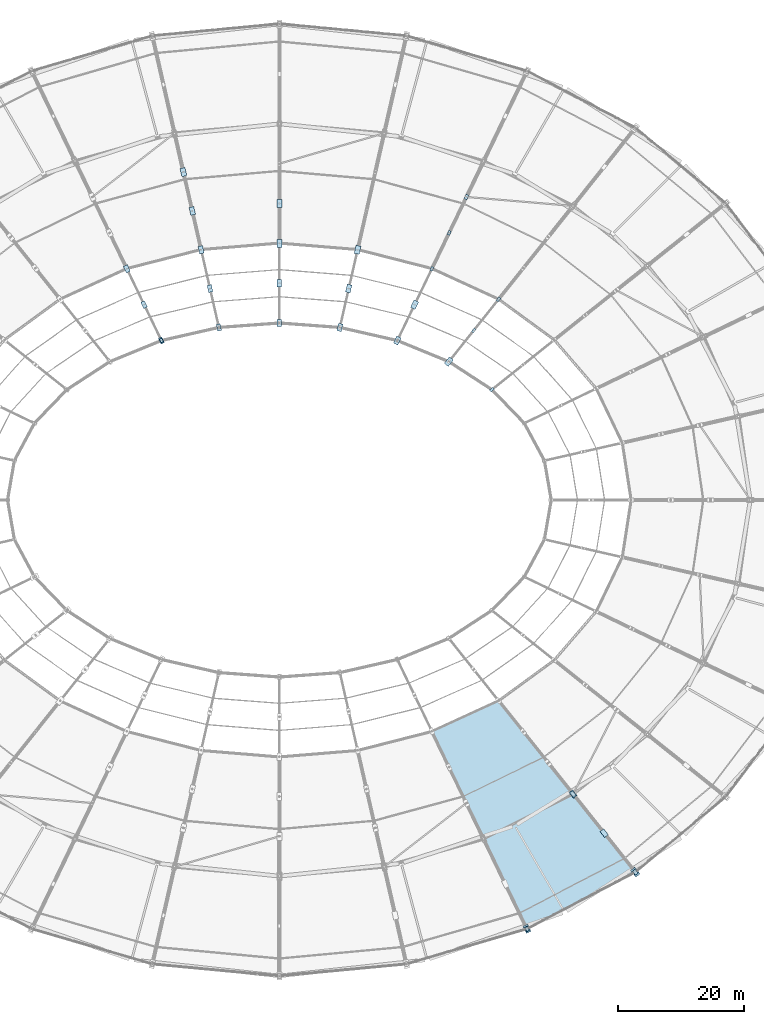
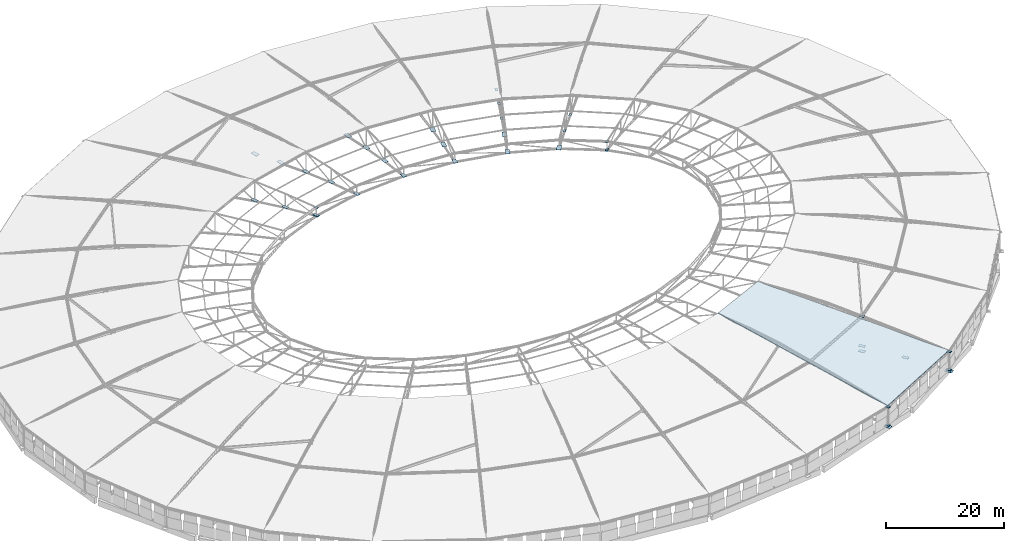
# One storey, part 93 of 108: 40 plates, 1 slab.
"""IFC4 building model written with IfcOpenShell, lengths in metres."""

import ifcopenshell
import ifcopenshell.guid

model = None  # the IFC model being written
_history = None  # IfcOwnerHistory: only IFC2X3 demands one
_inside = {}  # id of a spatial element -> (the spatial element, [elements in it])
_under = {}  # id of a project, library or spatial element -> (it, [spatial elements below it])
_declared = {}  # id of a project -> (the project, [libraries it declares])
_typed = {}  # id of a type object -> (the type object, [elements of that type])
_made_of = {}  # id of a material, layer set ... -> (it, [elements and type objects made of it])


def new_model(schema):
    """Start an empty IFC model of exactly this schema.

    Asked for "IFC4X3", IfcOpenShell would pick the latest addendum, in which some entities
    have other attributes; the version numbers below select the first issue.
    IFC2X3 requires an IfcOwnerHistory on every rooted entity: one is made here for all.
    """
    global model, _history
    if schema == "IFC4X3":
        model = ifcopenshell.file(schema_version=(4, 3, 0, 0))
    else:
        model = ifcopenshell.file(schema=schema)
    _inside.clear()
    _under.clear()
    _declared.clear()
    _typed.clear()
    _made_of.clear()
    _history = None
    if model.schema == "IFC2X3":
        org = make("IfcOrganization", Name="unknown")
        user = make(
            "IfcPersonAndOrganization",
            ThePerson=make("IfcPerson", FamilyName="unknown"),
            TheOrganization=org,
        )
        app = make(
            "IfcApplication",
            ApplicationDeveloper=org,
            Version="unknown",
            ApplicationFullName="unknown",
            ApplicationIdentifier="unknown",
        )
        _history = make(
            "IfcOwnerHistory",
            OwningUser=user,
            OwningApplication=app,
            ChangeAction="ADDED",
            CreationDate=0,
        )
    return model


def make(cls, **values):
    """One entity of the class cls with the attributes given. An attribute that is None is left unset."""
    return model.create_entity(
        cls, **{name: value for name, value in values.items() if value is not None}
    )


def rooted(cls, **values):
    """An entity with a GlobalId (a new one), such as an element, a storey or a relation."""
    return make(cls, GlobalId=ifcopenshell.guid.new(), OwnerHistory=_history, **values)


def si_unit(unit_type, name, prefix=None):
    """IfcSIUnit, for example si_unit("LENGTHUNIT", "METRE", prefix="MILLI")."""
    return make("IfcSIUnit", UnitType=unit_type, Prefix=prefix, Name=name)


def assignment(units):
    """IfcUnitAssignment: the units of a project."""
    return None if units is None else make("IfcUnitAssignment", Units=units)


def point(xyz):
    """IfcCartesianPoint."""
    return None if xyz is None else make("IfcCartesianPoint", Coordinates=xyz)


def direction(xyz):
    """IfcDirection."""
    return None if xyz is None else make("IfcDirection", DirectionRatios=xyz)


def frame(location, z_axis=None, x_axis=None):
    """IfcAxis2Placement3D, a coordinate frame: its origin and axes. An axis left out is left unset."""
    return make(
        "IfcAxis2Placement3D",
        Location=point(location),
        Axis=direction(z_axis),
        RefDirection=direction(x_axis),
    )


def frame_2d(location, x_axis=None):
    """IfcAxis2Placement2D, a coordinate frame in the plane: its origin and x axis."""
    return make(
        "IfcAxis2Placement2D", Location=point(location), RefDirection=direction(x_axis)
    )


def origin():
    """The frame at (0, 0, 0) with its axes left unset."""
    return frame((0.0, 0.0, 0.0))


def origin_2d():
    """The frame at (0, 0) in the plane with its x axis left unset."""
    return frame_2d((0.0, 0.0))


def place(relative_to, where):
    """IfcLocalPlacement: puts the frame where relative to a parent placement (None: the world)."""
    return make(
        "IfcLocalPlacement", PlacementRelTo=relative_to, RelativePlacement=where
    )


def context(
    kind, dimensions, precision=None, world=None, true_north=None, identifier=None
):
    """IfcGeometricRepresentationContext, for example the 3D "Model" context."""
    return make(
        "IfcGeometricRepresentationContext",
        ContextIdentifier=identifier,
        ContextType=kind,
        CoordinateSpaceDimension=dimensions,
        Precision=precision,
        WorldCoordinateSystem=world,
        TrueNorth=true_north,
    )


def subcontext(parent, identifier, kind, view, scale=None):
    """IfcGeometricRepresentationSubContext, for example "Body" below "Model"."""
    return make(
        "IfcGeometricRepresentationSubContext",
        ContextIdentifier=identifier,
        ContextType=kind,
        ParentContext=parent,
        TargetScale=scale,
        TargetView=view,
    )


def project(units=None, contexts=None):
    """IfcProject with its units and contexts."""
    return rooted(
        "IfcProject",
        Name="project",
        RepresentationContexts=contexts,
        UnitsInContext=assignment(units),
    )


def spatial(cls, under=None, at=None, **own):
    """A site, building, storey or space (cls), placed at a placement, below another one or the project."""
    s = rooted(cls, ObjectPlacement=at, **own)
    if under is not None:
        _under.setdefault(under.id(), (under, []))[1].append(s)
    return s


def polyline(points):
    """IfcPolyline through the points."""
    return make("IfcPolyline", Points=[point(p) for p in points])


def profile(cls, at=None, kind="AREA", **sizes):
    """A parametric profile (cls). Its sizes go by their IFC names, for example OverallWidth=200.0."""
    return make(cls, ProfileType=kind, Position=at, **sizes)


def rectangle(**sizes):
    """IfcRectangleProfileDef."""
    return profile("IfcRectangleProfileDef", **sizes)


def outline(outer, holes=None, kind="AREA"):
    """IfcArbitraryClosedProfileDef: a profile drawn as a closed curve; with holes, ...WithVoids."""
    if holes is None:
        return make("IfcArbitraryClosedProfileDef", ProfileType=kind, OuterCurve=outer)
    return make(
        "IfcArbitraryProfileDefWithVoids",
        ProfileType=kind,
        OuterCurve=outer,
        InnerCurves=holes,
    )


def extrude(swept, where, along, depth):
    """IfcExtrudedAreaSolid: the profile swept, set in the frame where, extruded along a direction by depth."""
    return make(
        "IfcExtrudedAreaSolid",
        SweptArea=swept,
        Position=where,
        ExtrudedDirection=direction(along),
        Depth=depth,
    )


def shape(context_of_items, identifier, shape_type, items):
    """IfcShapeRepresentation: the items that make up one representation, for example the "Body"."""
    return make(
        "IfcShapeRepresentation",
        ContextOfItems=context_of_items,
        RepresentationIdentifier=identifier,
        RepresentationType=shape_type,
        Items=items,
    )


def material(Name=None, Category=None):
    """IfcMaterial."""
    return make("IfcMaterial", Name=Name, Category=Category)


def layer(
    of_material, thickness, ventilated=None, Name=None, Category=None, Priority=None
):
    """IfcMaterialLayer: one layer of a wall or slab, of a material (None: an air gap)."""
    return make(
        "IfcMaterialLayer",
        Material=of_material,
        LayerThickness=thickness,
        IsVentilated=ventilated,
        Name=Name,
        Category=Category,
        Priority=Priority,
    )


def layer_set(layers, Name=None):
    """IfcMaterialLayerSet."""
    return make("IfcMaterialLayerSet", MaterialLayers=layers, LayerSetName=Name)


def made_of(thing, what):
    """Note that an element or type object is made of a material, layer set ...; save() writes the relation."""
    if what is not None:
        _made_of.setdefault(what.id(), (what, []))[1].append(thing)
    return thing


def type_object(cls, material=None, **own):
    """A type object (cls), such as IfcWallType, which elements share."""
    return made_of(rooted(cls, **own), material)


def element(
    cls,
    number,
    at=None,
    inside=None,
    cuts=None,
    type_object=None,
    material=None,
    context=None,
    identifier="Body",
    shape_type=None,
    held_by="IfcProductDefinitionShape",
    body=None,
    shapes=None,
    **own,
):
    """One element of the class cls, such as IfcWall. Its Tag is "e" and its number.

    at: its placement. inside: the storey or other place that contains it. cuts: it is an
    opening in that element (IfcRelVoidsElement). A single representation is given by context,
    identifier, shape_type and body (its items); several are given by shapes. held_by: the class
    of the entity that holds the representations. save() writes the other relations.
    """
    e = rooted(cls, Tag="e%d" % number, ObjectPlacement=at, **own)
    if body is not None:
        shapes = [shape(context, identifier, shape_type, body)]
    if shapes is not None:
        e.Representation = make(held_by, Representations=shapes)
    if inside is not None:
        _inside.setdefault(inside.id(), (inside, []))[1].append(e)
    if cuts is not None:
        rooted(
            "IfcRelVoidsElement", RelatingBuildingElement=cuts, RelatedOpeningElement=e
        )
    if type_object is not None:
        _typed.setdefault(type_object.id(), (type_object, []))[1].append(e)
    return made_of(e, material)


def aggregate(whole, parts):
    """IfcRelAggregates: a whole, such as a stair, and the parts it consists of."""
    return rooted("IfcRelAggregates", RelatingObject=whole, RelatedObjects=parts)


def save(model, path):
    """Write the relations noted so far, then the file.

    IfcRelAggregates (storeys below a building ...), IfcRelContainedInSpatialStructure (elements
    in a storey), IfcRelDefinesByType, IfcRelAssociatesMaterial and IfcRelDeclares: one each for
    every whole, place, type object, material and project.
    """
    for whole, parts in _under.values():
        aggregate(whole, parts)
    for where, things in _inside.values():
        rooted(
            "IfcRelContainedInSpatialStructure",
            RelatedElements=things,
            RelatingStructure=where,
        )
    for kind, things in _typed.values():
        rooted("IfcRelDefinesByType", RelatedObjects=things, RelatingType=kind)
    for what, things in _made_of.values():
        rooted("IfcRelAssociatesMaterial", RelatedObjects=things, RelatingMaterial=what)
    for by, libraries in _declared.values():
        rooted("IfcRelDeclares", RelatingContext=by, RelatedDefinitions=libraries)
    model.write(path)


model = new_model("IFC4")

# Units and contexts
model_context = context("Model", 3, precision=1e-05, world=origin(), true_north=direction((0.0, 1.0)))
body_context = subcontext(model_context, "Body", "Model", "MODEL_VIEW")
ifc_project = project(units=[si_unit("LENGTHUNIT", "METRE"), si_unit("AREAUNIT", "SQUARE_METRE"), si_unit("VOLUMEUNIT", "CUBIC_METRE"), si_unit("PLANEANGLEUNIT", "RADIAN"), si_unit("MASSUNIT", "GRAM", prefix="KILO")], contexts=[model_context])

# Site, building, storey
site_placement = place(None, origin())
site = spatial("IfcSite", under=ifc_project, at=site_placement, CompositionType="ELEMENT")
building_placement = place(site_placement, origin())
building = spatial("IfcBuilding", under=site, at=building_placement, Name="Zevraka Park Crest Stadium", CompositionType="ELEMENT")
storey_placement = place(building_placement, frame((0.0, 0.0, 29.39990234375)))
storey = spatial("IfcBuildingStorey", under=building, at=storey_placement, Name="RF", CompositionType="ELEMENT", Elevation=29.39990234375)

# Plates
ifc_material_1 = material(Name="Steel S355", Category="steel")
ifc_layer_1 = layer(ifc_material_1, 0.035888671875)
ifc_layer_set_1 = layer_set([ifc_layer_1], Name="Steel S355")
plate_type_1 = type_object("IfcPlateType", Name="BP01", PredefinedType="SHEET", material=ifc_layer_set_1)
plate_1_placement = place(storey_placement, frame((168.301025390625, 33.1279296875, -0.03369140625), z_axis=(0.0, 0.0, 1.0), x_axis=(-0.623470308046, 0.781847027868, 0.0)))
element("IfcPlate", 1, at=plate_1_placement, inside=storey, type_object=plate_type_1, Name="TN1 Roof Truss Heel Base Plate BP01 T25", PredefinedType="SHEET", context=body_context, shape_type="SweptSolid", body=[
    extrude(rectangle(XDim=1.35009765625, YDim=0.85009765625, at=origin_2d()), origin(), (0.0, 0.0, 1.0), 0.035888671875),
])
ifc_material_2 = material(Name="Steel S355", Category="steel")
ifc_layer_2 = layer(ifc_material_2, 0.034912109375)
ifc_layer_set_2 = layer_set([ifc_layer_2], Name="Steel S355")
plate_type_2 = type_object("IfcPlateType", Name="BP02", PredefinedType="SHEET", material=ifc_layer_set_2)
plate_2_placement = place(storey_placement, frame((151.179931640625, 24.156982421875, -0.03271484375), z_axis=(0.0, 0.0, 1.0), x_axis=(-0.43381634559, 0.90100131981, 0.0)))
element("IfcPlate", 2, at=plate_2_placement, inside=storey, type_object=plate_type_2, Name="TN1 Roof Truss Heel Base Plate BP02 T24", PredefinedType="SHEET", context=body_context, shape_type="SweptSolid", body=[
    extrude(rectangle(XDim=1.25, YDim=0.800048828125, at=origin_2d()), origin(), (0.0, 0.0, 1.0), 0.034912109375),
])
ifc_material_3 = material(Name="Steel S355", Category="steel")
ifc_layer_3 = layer(ifc_material_3, 0.031982421875)
ifc_layer_set_3 = layer_set([ifc_layer_3], Name="Steel S355")
plate_type_3 = type_object("IfcPlateType", Name="BP03", PredefinedType="SHEET", material=ifc_layer_set_3)
plate_3_placement = place(storey_placement, frame((158.449951171875, 45.48095703125, -0.02978515625), z_axis=(0.0, 0.0, 1.0), x_axis=(-0.623470308046, 0.781847027868, 0.0)))
element("IfcPlate", 3, at=plate_3_placement, inside=storey, type_object=plate_type_3, Name="TN2 Roof Truss Heel Base Plate BP03 T25", PredefinedType="SHEET", context=body_context, shape_type="SweptSolid", body=[
    extrude(rectangle(XDim=1.14990234375, YDim=0.719970703125, at=origin_2d()), origin(), (0.0, 0.0, 1.0), 0.031982421875),
])
ifc_material_4 = material(Name="Steel S355", Category="steel")
ifc_layer_4 = layer(ifc_material_4, 0.02490234375)
ifc_layer_set_4 = layer_set([ifc_layer_4], Name="Steel S355")
plate_type_4 = type_object("IfcPlateType", Name="EC01", PredefinedType="SHEET", material=ifc_layer_set_4)
for number, where, z_axis, x_axis, name in (
    (4, (158.449951171875, 45.48095703125, 7.1982421875), (0.0, 0.0, 1.0), (-0.623470308046, 0.781847027868, 0.0), "Hollow Strut Top Closure Cap Plate EC01 T25-2"),
    (5, (168.301025390625, 33.1279296875, 0.237548828125), (0.0, 0.0, 1.0), (-0.623470308046, 0.781847027868, 0.0), "TN5 Hollow Chord End Cap Plate EC01 T25-HEEL-B"),
    (6, (168.301025390625, 33.1279296875, 3.987548828125), (0.0, 0.0, 1.0), (-0.623470308046, 0.781847027868, 0.0), "TN5 Hollow Chord End Cap Plate EC01 T25-HEEL-T"),
):
    element("IfcPlate", number, at=place(storey_placement, frame(where, z_axis=z_axis, x_axis=x_axis)), inside=storey, type_object=plate_type_4, Name=name, PredefinedType="SHEET", context=body_context, shape_type="SweptSolid", body=[
        extrude(rectangle(XDim=0.840087890625, YDim=0.5400390625, at=origin_2d()), origin(), (0.0, 0.0, 1.0), 0.02490234375),
    ])
ifc_material_5 = material(Name="Steel S355", Category="steel")
ifc_layer_5 = layer(ifc_material_5, 0.02490234375)
ifc_layer_set_5 = layer_set([ifc_layer_5], Name="Steel S355")
plate_type_5 = type_object("IfcPlateType", Name="EC02", PredefinedType="SHEET", material=ifc_layer_set_5)
for number, where, z_axis, x_axis, name in (
    (7, (151.179931640625, 24.156982421875, 3.998046875), (0.0, 0.0, 1.0), (-0.43381634559, 0.90100131981, 0.0), "Hollow Strut Top Closure Cap Plate EC02 T24-0"),
    (8, (168.301025390625, 33.1279296875, 3.998046875), (0.0, 0.0, 1.0), (-0.623470308046, 0.781847027868, 0.0), "Hollow Strut Top Closure Cap Plate EC02 T25-0"),
):
    element("IfcPlate", number, at=place(storey_placement, frame(where, z_axis=z_axis, x_axis=x_axis)), inside=storey, type_object=plate_type_5, Name=name, PredefinedType="SHEET", context=body_context, shape_type="SweptSolid", body=[
        extrude(rectangle(XDim=0.780029296875, YDim=0.5, at=origin_2d()), origin(), (0.0, 0.0, 1.0), 0.02490234375),
    ])
ifc_material_6 = material(Name="Steel S355", Category="steel")
ifc_layer_6 = layer(ifc_material_6, 0.02197265625)
ifc_layer_set_6 = layer_set([ifc_layer_6], Name="Steel S355")
plate_type_6 = type_object("IfcPlateType", Name="EC03", PredefinedType="SHEET", material=ifc_layer_set_6)
for number, where, z_axis, x_axis, name in (
    (9, (151.179931640625, 24.156982421875, 0.239013671875), (0.0, 0.0, 1.0), (-0.43381634559, 0.90100131981, 0.0), "TN5 Hollow Chord End Cap Plate EC03 T24-HEEL-B"),
    (10, (151.179931640625, 24.156982421875, 3.989013671875), (0.0, 0.0, 1.0), (-0.43381634559, 0.90100131981, 0.0), "TN5 Hollow Chord End Cap Plate EC03 T24-HEEL-T"),
):
    element("IfcPlate", number, at=place(storey_placement, frame(where, z_axis=z_axis, x_axis=x_axis)), inside=storey, type_object=plate_type_6, Name=name, PredefinedType="SHEET", context=body_context, shape_type="SweptSolid", body=[
        extrude(rectangle(XDim=0.719970703125, YDim=0.4599609375, at=origin_2d()), origin(), (0.0, 0.0, 1.0), 0.02197265625),
    ])
ifc_material_7 = material(Name="Steel S355", Category="steel")
ifc_layer_7 = layer(ifc_material_7, 0.02001953125)
ifc_layer_set_7 = layer_set([ifc_layer_7], Name="Steel S355")
plate_type_7 = type_object("IfcPlateType", Name="EC04", PredefinedType="SHEET", material=ifc_layer_set_7)
for number, where, z_axis, x_axis, name in (
    (11, (145.618896484375, 109.4580078125, 7.190185546875), (0.0, 0.0, 1.0), (0.781847027868, 0.623470308046, 0.0), "TN5 Hollow Chord End Cap Plate EC04 T04-TIP-B"),
    (12, (145.618896484375, 109.4580078125, 8.989990234375), (0.0, 0.0, 1.0), (0.781847027868, 0.623470308046, 0.0), "TN5 Hollow Chord End Cap Plate EC04 T04-TIP-T"),
    (13, (93.343017578125, 117.22705078125, 7.190185546875), (0.0, 0.0, 1.0), (-0.43381634559, 0.90100131981, 0.0), "TN5 Hollow Chord End Cap Plate EC04 T10-TIP-B"),
    (14, (93.343017578125, 117.22705078125, 8.989990234375), (0.0, 0.0, 1.0), (-0.43381634559, 0.90100131981, 0.0), "TN5 Hollow Chord End Cap Plate EC04 T10-TIP-T"),
):
    element("IfcPlate", number, at=place(storey_placement, frame(where, z_axis=z_axis, x_axis=x_axis)), inside=storey, type_object=plate_type_7, Name=name, PredefinedType="SHEET", context=body_context, shape_type="SweptSolid", body=[
        extrude(rectangle(XDim=0.659912109375, YDim=0.419921875, at=origin_2d()), origin(), (0.0, 0.0, 1.0), 0.02001953125),
    ])
ifc_material_8 = material(Name="Steel S355", Category="steel")
ifc_layer_8 = layer(ifc_material_8, 0.031982421875)
ifc_layer_set_8 = layer_set([ifc_layer_8], Name="Steel S355")
plate_type_8 = type_object("IfcPlateType", Name="GP01", PredefinedType="USERDEFINED", material=ifc_layer_set_8)
for number, where, z_axis, x_axis, name in (
    (15, (121.568115234375, 119.298095703125, 7.3642578125), (0.0, 0.0, 1.0), (0.222569549971, 0.974916814618, 0.0), "TN6 Truss Node Gusset Plate GP01 T07-7"),
    (16, (112.0, 126.300048828125, 6.56396484375), (0.0, 0.0, 1.0), (0.0, 1.0, 0.0), "TN6 Truss Node Gusset Plate GP01 T08-6"),
    (17, (99.6279296875, 131.58203125, 5.4638671875), (0.0, 0.0, 1.0), (-0.222569549971, 0.974916814618, 0.0), "TN5 Truss Node Gusset Plate GP01 T09-5"),
    (18, (163.3759765625, 39.304931640625, 0.7138671875), (0.0, 0.0, 1.0), (-0.623470308046, 0.781847027868, 0.0), "TN1 Truss Node Gusset Plate GP01 T25-1"),
):
    element("IfcPlate", number, at=place(storey_placement, frame(where, z_axis=z_axis, x_axis=x_axis)), inside=storey, type_object=plate_type_8, Name=name, ObjectType="GUSSET PLATE", PredefinedType="USERDEFINED", context=body_context, shape_type="SweptSolid", body=[
        extrude(rectangle(XDim=1.199951171875, YDim=0.719970703125, at=origin_2d()), origin(), (0.0, 0.0, 1.0), 0.031982421875),
    ])
ifc_material_9 = material(Name="Steel S355", Category="steel")
ifc_layer_9 = layer(ifc_material_9, 0.030029296875)
ifc_layer_set_9 = layer_set([ifc_layer_9], Name="Steel S355")
plate_type_9 = type_object("IfcPlateType", Name="GP02", PredefinedType="USERDEFINED", material=ifc_layer_set_9)
for number, where, z_axis, x_axis, name in (
    (19, (112.0, 120.0, 7.365234375), (0.0, 0.0, 1.0), (0.0, 1.0, 0.0), "TN6 Truss Node Gusset Plate GP02 T08-7"),
    (20, (101.030029296875, 125.43994140625, 6.56494140625), (0.0, 0.0, 1.0), (-0.222569549971, 0.974916814618, 0.0), "TN6 Truss Node Gusset Plate GP02 T09-6"),
    (21, (87.8759765625, 128.5791015625, 5.46484375), (0.0, 0.0, 1.0), (-0.43381634559, 0.90100131981, 0.0), "TN5 Truss Node Gusset Plate GP02 T10-5"),
    (22, (158.449951171875, 45.48095703125, 1.06494140625), (0.0, 0.0, 1.0), (-0.623470308046, 0.781847027868, 0.0), "TN2 Truss Node Gusset Plate GP02 T25-2"),
):
    element("IfcPlate", number, at=place(storey_placement, frame(where, z_axis=z_axis, x_axis=x_axis)), inside=storey, type_object=plate_type_9, Name=name, ObjectType="GUSSET PLATE", PredefinedType="USERDEFINED", context=body_context, shape_type="SweptSolid", body=[
        extrude(rectangle(XDim=1.139892578125, YDim=0.679931640625, at=origin_2d()), origin(), (0.0, 0.0, 1.0), 0.030029296875),
    ])
ifc_material_10 = material(Name="Steel S355", Category="steel")
ifc_layer_10 = layer(ifc_material_10, 0.028076171875)
ifc_layer_set_10 = layer_set([ifc_layer_10], Name="Steel S355")
plate_type_10 = type_object("IfcPlateType", Name="GP03", PredefinedType="USERDEFINED", material=ifc_layer_set_10)
for number, where, z_axis, x_axis, name in (
    (23, (102.431884765625, 119.298095703125, 7.3662109375), (0.0, 0.0, 1.0), (-0.222569549971, 0.974916814618, 0.0), "TN6 Truss Node Gusset Plate GP03 T09-7"),
    (24, (90.610107421875, 122.903076171875, 6.56591796875), (0.0, 0.0, 1.0), (-0.43381634559, 0.90100131981, 0.0), "TN6 Truss Node Gusset Plate GP03 T10-6"),
):
    element("IfcPlate", number, at=place(storey_placement, frame(where, z_axis=z_axis, x_axis=x_axis)), inside=storey, type_object=plate_type_10, Name=name, ObjectType="GUSSET PLATE", PredefinedType="USERDEFINED", context=body_context, shape_type="SweptSolid", body=[
        extrude(rectangle(XDim=1.080078125, YDim=0.639892578125, at=origin_2d()), origin(), (0.0, 0.0, 1.0), 0.028076171875),
    ])
ifc_material_11 = material(Name="Steel S355", Category="steel")
ifc_layer_11 = layer(ifc_material_11, 0.028076171875)
ifc_layer_set_11 = layer_set([ifc_layer_11], Name="Steel S355")
plate_type_11 = type_object("IfcPlateType", Name="GP04", PredefinedType="USERDEFINED", material=ifc_layer_set_11)
plate_4_placement = place(storey_placement, frame((93.343017578125, 117.22705078125, 7.3662109375), z_axis=(0.0, 0.0, 1.0), x_axis=(-0.43381634559, 0.90100131981, 0.0)))
element("IfcPlate", 25, at=plate_4_placement, inside=storey, type_object=plate_type_11, Name="TN6 Truss Node Gusset Plate GP04 T10-7", ObjectType="GUSSET PLATE", PredefinedType="USERDEFINED", context=body_context, shape_type="SweptSolid", body=[
    extrude(rectangle(XDim=1.02001953125, YDim=0.60009765625, at=origin_2d()), origin(), (0.0, 0.0, 1.0), 0.028076171875),
])
ifc_material_12 = material(Name="Steel S355", Category="steel")
ifc_layer_12 = layer(ifc_material_12, 0.02197265625)
ifc_layer_set_12 = layer_set([ifc_layer_12], Name="Steel S355")
plate_type_12 = type_object("IfcPlateType", Name="GP08", PredefinedType="USERDEFINED", material=ifc_layer_set_12)
plate_5_placement = place(storey_placement, frame((141.591064453125, 139.931884765625, 2.619140625), z_axis=(0.0, 0.0, 1.0), x_axis=(0.43381634559, 0.90100131981, 0.0)))
element("IfcPlate", 26, at=plate_5_placement, inside=storey, type_object=plate_type_12, Name="TN3 Truss Node Gusset Plate GP08 T06-3", ObjectType="GUSSET PLATE", PredefinedType="USERDEFINED", context=body_context, shape_type="SweptSolid", body=[
    extrude(rectangle(XDim=0.780029296875, YDim=0.47998046875, at=origin_2d()), origin(), (0.0, 0.0, 1.0), 0.02197265625),
])
ifc_material_13 = material(Name="Steel S355", Category="steel")
ifc_layer_13 = layer(ifc_material_13, 0.02197265625)
ifc_layer_set_13 = layer_set([ifc_layer_13], Name="Steel S355")
plate_type_13 = type_object("IfcPlateType", Name="GP09", PredefinedType="USERDEFINED", material=ifc_layer_set_13)
for number, where, z_axis, x_axis, name in (
    (27, (146.666015625, 123.741943359375, 5.468994140625), (0.0, 0.0, 1.0), (0.623470308046, 0.781847027868, 0.0), "TN5 Truss Node Gusset Plate GP09 T05-5"),
    (28, (138.85693359375, 134.2548828125, 4.119140625), (0.0, 0.0, 1.0), (0.43381634559, 0.90100131981, 0.0), "TN4 Truss Node Gusset Plate GP09 T06-4"),
):
    element("IfcPlate", number, at=place(storey_placement, frame(where, z_axis=z_axis, x_axis=x_axis)), inside=storey, type_object=plate_type_13, Name=name, ObjectType="GUSSET PLATE", PredefinedType="USERDEFINED", context=body_context, shape_type="SweptSolid", body=[
        extrude(rectangle(XDim=0.719970703125, YDim=0.43994140625, at=origin_2d()), origin(), (0.0, 0.0, 1.0), 0.02197265625),
    ])
ifc_material_14 = material(Name="Steel S355", Category="steel")
ifc_layer_14 = layer(ifc_material_14, 0.02001953125)
ifc_layer_set_14 = layer_set([ifc_layer_14], Name="Steel S355")
plate_type_14 = type_object("IfcPlateType", Name="GP10", PredefinedType="USERDEFINED", material=ifc_layer_set_14)
for number, where, z_axis, x_axis, name in (
    (29, (145.618896484375, 109.4580078125, 7.3701171875), (0.0, 0.0, 1.0), (0.781847027868, 0.623470308046, 0.0), "TN6 Truss Node Gusset Plate GP10 T04-7"),
    (30, (142.738037109375, 118.81689453125, 6.570068359375), (0.0, 0.0, 1.0), (0.623470308046, 0.781847027868, 0.0), "TN6 Truss Node Gusset Plate GP10 T05-6"),
    (31, (136.1240234375, 128.5791015625, 5.469970703125), (0.0, 0.0, 1.0), (0.43381634559, 0.90100131981, 0.0), "TN5 Truss Node Gusset Plate GP10 T06-5"),
):
    element("IfcPlate", number, at=place(storey_placement, frame(where, z_axis=z_axis, x_axis=x_axis)), inside=storey, type_object=plate_type_14, Name=name, ObjectType="GUSSET PLATE", PredefinedType="USERDEFINED", context=body_context, shape_type="SweptSolid", body=[
        extrude(rectangle(XDim=0.659912109375, YDim=0.39990234375, at=origin_2d()), origin(), (0.0, 0.0, 1.0), 0.02001953125),
    ])
ifc_material_15 = material(Name="Steel S355", Category="steel")
ifc_layer_15 = layer(ifc_material_15, 0.034912109375)
ifc_layer_set_15 = layer_set([ifc_layer_15], Name="Steel S355")
plate_type_15 = type_object("IfcPlateType", Name="GP11", PredefinedType="USERDEFINED", material=ifc_layer_set_15)
for number, where, z_axis, x_axis, name in (
    (32, (138.81005859375, 113.89111328125, 7.36279296875), (0.0, 0.0, 1.0), (0.623470308046, 0.781847027868, 0.0), "TN6 Truss Node Gusset Plate GP11 T05-7"),
    (33, (133.389892578125, 122.903076171875, 6.5625), (0.0, 0.0, 1.0), (0.43381634559, 0.90100131981, 0.0), "TN6 Truss Node Gusset Plate GP11 T06-6"),
    (34, (124.3720703125, 131.58203125, 5.46240234375), (0.0, 0.0, 1.0), (0.222569549971, 0.974916814618, 0.0), "TN5 Truss Node Gusset Plate GP11 T07-5"),
    (35, (112.0, 138.89990234375, 4.11279296875), (0.0, 0.0, 1.0), (0.0, 1.0, 0.0), "TN4 Truss Node Gusset Plate GP11 T08-4"),
    (36, (96.823974609375, 143.865966796875, 2.61279296875), (0.0, 0.0, 1.0), (-0.222569549971, 0.974916814618, 0.0), "TN3 Truss Node Gusset Plate GP11 T09-3"),
):
    element("IfcPlate", number, at=place(storey_placement, frame(where, z_axis=z_axis, x_axis=x_axis)), inside=storey, type_object=plate_type_15, Name=name, ObjectType="GUSSET PLATE", PredefinedType="USERDEFINED", context=body_context, shape_type="SweptSolid", body=[
        extrude(rectangle(XDim=1.320068359375, YDim=0.800048828125, at=origin_2d()), origin(), (0.0, 0.0, 1.0), 0.034912109375),
    ])
ifc_material_16 = material(Name="Steel S355", Category="steel")
ifc_layer_16 = layer(ifc_material_16, 0.031982421875)
ifc_layer_set_16 = layer_set([ifc_layer_16], Name="Steel S355")
plate_type_16 = type_object("IfcPlateType", Name="GP12", PredefinedType="USERDEFINED", material=ifc_layer_set_16)
for number, where, z_axis, x_axis, name in (
    (37, (130.656982421875, 117.22705078125, 7.3642578125), (0.0, 0.0, 1.0), (0.43381634559, 0.90100131981, 0.0), "TN6 Truss Node Gusset Plate GP12 T06-7"),
    (38, (122.969970703125, 125.43994140625, 6.56396484375), (0.0, 0.0, 1.0), (0.222569549971, 0.974916814618, 0.0), "TN6 Truss Node Gusset Plate GP12 T07-6"),
    (39, (112.0, 132.60009765625, 5.4638671875), (0.0, 0.0, 1.0), (0.0, 1.0, 0.0), "TN5 Truss Node Gusset Plate GP12 T08-5"),
    (40, (98.22607421875, 137.72412109375, 4.1142578125), (0.0, 0.0, 1.0), (-0.222569549971, 0.974916814618, 0.0), "TN4 Truss Node Gusset Plate GP12 T09-4"),
):
    element("IfcPlate", number, at=place(storey_placement, frame(where, z_axis=z_axis, x_axis=x_axis)), inside=storey, type_object=plate_type_16, Name=name, ObjectType="GUSSET PLATE", PredefinedType="USERDEFINED", context=body_context, shape_type="SweptSolid", body=[
        extrude(rectangle(XDim=1.260009765625, YDim=0.760009765625, at=origin_2d()), origin(), (0.0, 0.0, 1.0), 0.031982421875),
    ])

# Slab
ifc_material_17 = material(Name="Concrete C35/45", Category="concrete")
ifc_layer_17 = layer(ifc_material_17, 0.179931640625)
ifc_layer_set_17 = layer_set([ifc_layer_17], Name="Concrete C35/45")
slab_type = type_object("IfcSlabType", Name="RS01", PredefinedType="ROOF", material=ifc_layer_set_17)
slab_placement = place(storey_placement, frame((151.179931640625, 24.156982421875, 4.239990234375), z_axis=(0.072029366574, -0.137456281967, 0.987885388544), x_axis=(0.885772532336, 0.464119619202, -5.544357e-06)))
element("IfcSlab", 41, at=slab_placement, inside=storey, type_object=slab_type, Name="Canopy Arched Roof Deck Slab RS01 OUTER-24", PredefinedType="ROOF", context=body_context, shape_type="SweptSolid", body=[
    extrude(outline(polyline([(0.0, 0.0), (19.328987196103824, 0.0), (12.756884324253756, 34.49017194523897), (1.1740566545985294, 35.10577004043294), (0.0, 0.0)])), origin(), (0.0, 0.0, -1.0), 0.179931640625),
])

save(model, "model.ifc")
